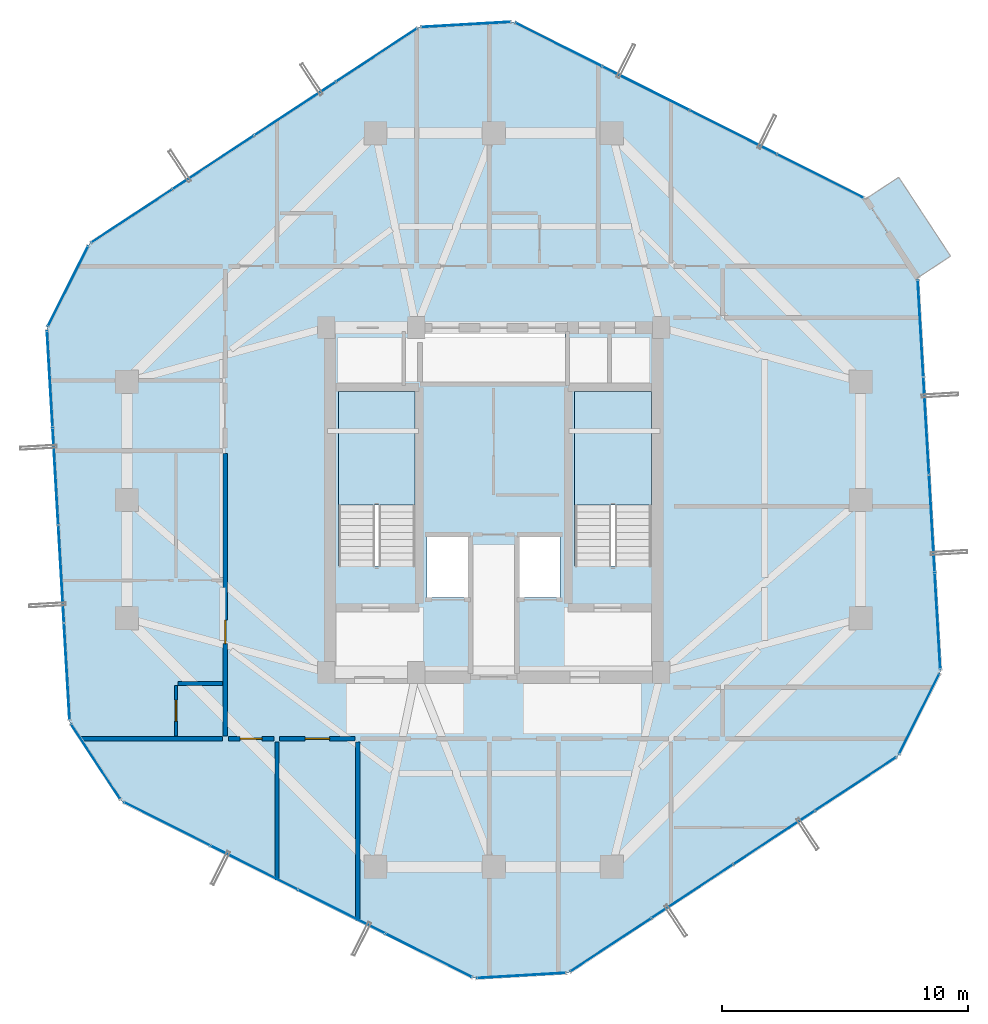
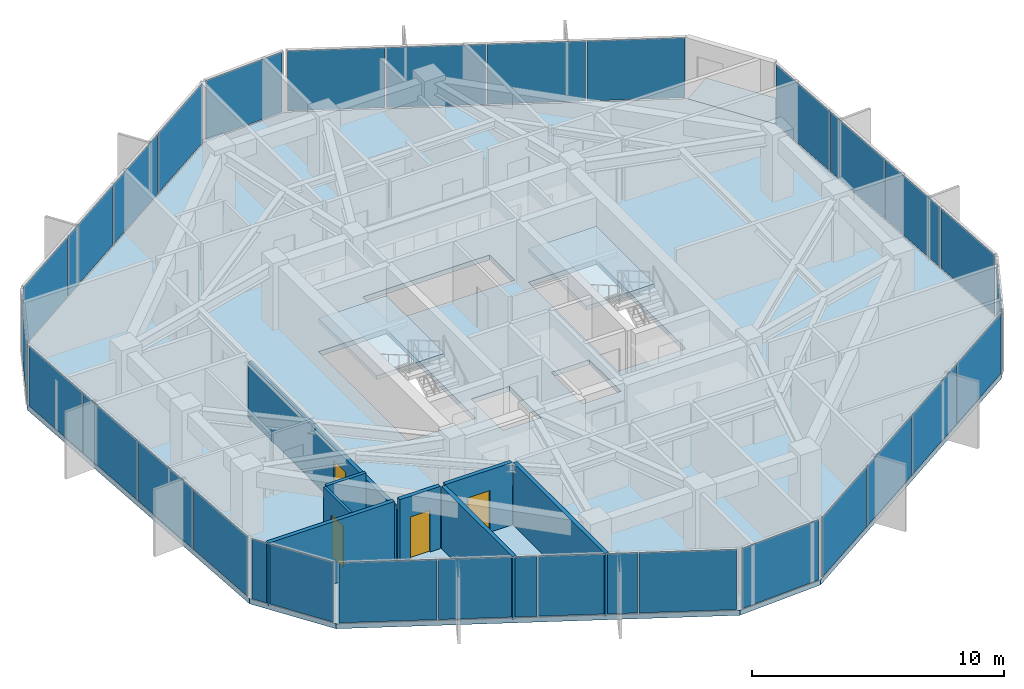
# One storey, part 28 of 33: 29 plates, 8 walls, 4 doors, 4 slabs, 4 openings, 13 elements without a shape of their own.
"""IFC4 building model written with IfcOpenShell, lengths in metres."""

from ifc_helpers import new_model, si_unit, direction, frame, frame_2d, origin, origin_2d, place, context, subcontext, project, spatial, polyline, rectangle, outline, extrude, source, transform, mapped, material, layer, layer_set, type_object, element, fill, aggregate, save


model = new_model("IFC4")

# Units and contexts
model_context = context("Model", 3, precision=1e-05, world=origin(), true_north=direction((0.0, 1.0)))
body_context = subcontext(model_context, "Body", "Model", "MODEL_VIEW")
ifc_project = project(units=[si_unit("LENGTHUNIT", "METRE"), si_unit("AREAUNIT", "SQUARE_METRE"), si_unit("VOLUMEUNIT", "CUBIC_METRE"), si_unit("PLANEANGLEUNIT", "RADIAN"), si_unit("MASSUNIT", "GRAM", prefix="KILO")], contexts=[model_context])

# Site, building, storey
site_placement = place(None, origin())
site = spatial("IfcSite", under=ifc_project, at=site_placement, CompositionType="ELEMENT")
building_placement = place(site_placement, origin())
building = spatial("IfcBuilding", under=site, at=building_placement, Name="Veraguas Prism Commons", CompositionType="ELEMENT")
storey_placement = place(building_placement, frame((0.0, 0.0, 195.10009765625)))
storey = spatial("IfcBuildingStorey", under=building, at=storey_placement, Name="L55", CompositionType="ELEMENT", Elevation=195.10009765625)

# Stair, slab
ifc_material_1 = material(Name="Precast concrete C45/55", Category="concrete")
stair_type = type_object("IfcStairType", Name="Dogleg Core Stair 1480W 20R 05", PredefinedType="HALF_TURN_STAIR", material=ifc_material_1)
stair_1_placement = place(storey_placement, origin())
stair_1 = element("IfcStair", 1, at=stair_1_placement, inside=storey, type_object=stair_type, Name="Protected Exit Stair ST-01 L55", PredefinedType="HALF_TURN_STAIR")
ifc_layer_1 = layer(ifc_material_1, 0.199951171875, Name="Precast Stair and Ramp Landing Slab 200", Category="concrete")
ifc_layer_set_1 = layer_set([ifc_layer_1], Name="Precast concrete C45/55")
slab_type_1 = type_object("IfcSlabType", Name="Precast Stair and Ramp Landing Slab 200", PredefinedType="LANDING", material=ifc_layer_set_1)
slab_1_placement = place(storey_placement, frame((0.0, 0.0, 1.4248046875)))
slab_1 = element("IfcSlab", 2, at=slab_1_placement, type_object=slab_type_1, Name="ST-05 Landing 1", PredefinedType="LANDING", context=body_context, shape_type="SweptSolid", body=[
    extrude(outline(polyline([(20.800048828125, 23.800048828125), (20.800048828125, 28.39990234375), (17.68994140625, 28.39990234375), (17.68994140625, 23.800048828125), (20.800048828125, 23.800048828125)])), origin(), (0.0, 0.0, 1.0), 0.2001953125),
])
aggregate(stair_1, [slab_1])

stair_2_placement = place(storey_placement, origin())
stair_2 = element("IfcStair", 3, at=stair_2_placement, inside=storey, type_object=stair_type, Name="Protected Exit Stair ST-02 L55", PredefinedType="HALF_TURN_STAIR")
slab_2_placement = place(storey_placement, frame((0.0, 0.0, 1.4248046875)))
slab_2 = element("IfcSlab", 4, at=slab_2_placement, type_object=slab_type_1, Name="ST-05 Landing 1", PredefinedType="LANDING", context=body_context, shape_type="SweptSolid", body=[
    extrude(outline(polyline([(30.39990234375, 23.800048828125), (30.39990234375, 28.39990234375), (27.2900390625, 28.39990234375), (27.2900390625, 23.800048828125), (30.39990234375, 23.800048828125)])), origin(), (0.0, 0.0, 1.0), 0.2001953125),
])
aggregate(stair_2, [slab_2])

# Slabs
ifc_material_2 = material(Name="Concrete C45/55", Category="concrete")
ifc_layer_2 = layer(ifc_material_2, 0.219970703125, Name="Recessed Loggia and Terrace Slab RC 220", Category="concrete")
ifc_layer_set_2 = layer_set([ifc_layer_2], Name="Concrete C45/55")
slab_type_2 = type_object("IfcSlabType", Name="Recessed Loggia and Terrace Slab RC 220", PredefinedType="FLOOR", material=ifc_layer_set_2)
slab_3_placement = place(storey_placement, frame((0.0, 0.0, -0.22021484375)))
element("IfcSlab", 5, at=slab_3_placement, inside=storey, type_object=slab_type_2, Name="Recessed Corner Loggia L55-C1", PredefinedType="FLOOR", context=body_context, shape_type="SweptSolid", body=[
    extrude(outline(polyline([(41.19970703125, 33.012451171875), (42.553466796875, 33.90234375), (40.447265625, 37.1064453125), (39.093505859375, 36.216552734375), (41.19970703125, 33.012451171875)])), origin(), (0.0, 0.0, 1.0), 0.22021484375),
])
ifc_layer_3 = layer(ifc_material_2, 0.235107421875, Name="Tower Upper Residential Floor Slab RC 235", Category="concrete")
ifc_layer_set_3 = layer_set([ifc_layer_3], Name="Concrete C45/55")
slab_type_3 = type_object("IfcSlabType", Name="Tower Upper Residential Floor Slab RC 235", PredefinedType="FLOOR", material=ifc_layer_set_3)
slab_4_placement = place(storey_placement, frame((0.0, 0.0, -0.235107421875)))
element("IfcSlab", 6, at=slab_4_placement, inside=storey, type_object=slab_type_3, Name="Tower Floor Slab L55", PredefinedType="FLOOR", context=body_context, shape_type="SweptSolid", body=[
    extrude(outline(polyline([(41.216552734375, 33.0234375), (39.1103515625, 36.2275390625), (24.793701171875, 43.421630859375), (20.9658203125, 43.19970703125), (7.5771484375, 34.398193359375), (5.855712890625, 30.97216796875), (6.783447265625, 14.9765625), (8.8896484375, 11.7724609375), (23.206298828125, 4.578369140625), (27.0341796875, 4.80029296875), (40.4228515625, 13.601806640625), (42.144287109375, 17.02783203125), (41.216552734375, 33.0234375)]), holes=[polyline([(20.800048828125, 21.31005859375), (20.800048828125, 28.39990234375), (17.68994140625, 28.39990234375), (17.68994140625, 21.31005859375), (20.800048828125, 21.31005859375)]), polyline([(30.39990234375, 21.31005859375), (30.39990234375, 28.39990234375), (27.2900390625, 28.39990234375), (27.2900390625, 21.31005859375), (30.39990234375, 21.31005859375)]), polyline([(21.10009765625, 28.800048828125), (26.89990234375, 28.800048828125), (26.89990234375, 30.800048828125), (21.10009765625, 30.800048828125), (21.10009765625, 28.800048828125)]), polyline([(21.300048828125, 20.050048828125), (23.050048828125, 20.050048828125), (23.050048828125, 22.550048828125), (21.300048828125, 22.550048828125), (21.300048828125, 20.050048828125)]), polyline([(24.949951171875, 20.050048828125), (26.699951171875, 20.050048828125), (26.699951171875, 22.550048828125), (24.949951171875, 22.550048828125), (24.949951171875, 20.050048828125)])]), origin(), (0.0, 0.0, 1.0), 0.235107421875),
])

# Curtain wall, plates
ifc_material_3 = material(Name="Anodised aluminium EN AW-6063 T6", Category="aluminium")
ifc_layer_4 = layer(ifc_material_3, 0.14990234375, Name="Unitised Flush Curtain Wall Zone 3", Category="aluminium")
ifc_layer_set_4 = layer_set([ifc_layer_4], Name="Anodised aluminium EN AW-6063 T6")
curtain_wall_type = type_object("IfcCurtainWallType", Name="Unitised Flush Curtain Wall Zone 3", PredefinedType="NOTDEFINED", material=ifc_layer_set_4)
curtain_wall_1_placement = place(storey_placement, origin())
curtain_wall_1 = element("IfcCurtainWall", 7, at=curtain_wall_1_placement, inside=storey, type_object=curtain_wall_type, Name="Tower Facade Curtain Wall L55-F2", PredefinedType="NOTDEFINED")
ifc_material_4 = material(Name="Laminated low-e glass", Category="glass")
ifc_layer_5 = layer(ifc_material_4, 0.028076171875, Name="Unitised Double Low-E Glazed Panel 28", Category="glass")
ifc_layer_set_5 = layer_set([ifc_layer_5], Name="Laminated low-e glass")
plate_type = type_object("IfcPlateType", Name="Unitised Double Low-E Glazed Panel 28", PredefinedType="CURTAIN_PANEL", material=ifc_layer_set_5)
shared_shape_1 = source(origin(), body_context, "Body", "SweptSolid", [
    extrude(rectangle(XDim=3.885498046875, YDim=0.028076171875, at=origin_2d()), origin(), (0.0, 0.0, 1.0), 2.905029296875),
])
plate_1_placement = place(storey_placement, frame((19.2421875, 42.06640625, 0.0546875), z_axis=(0.0, 0.0, 1.0), x_axis=(-0.835621417698, -0.549305785774, 0.0)))
plate_1 = element("IfcPlate", 8, at=plate_1_placement, type_object=plate_type, Name="CW-Z3 Panel 1.1", PredefinedType="CURTAIN_PANEL", context=body_context, shape_type="MappedRepresentation", body=[
    mapped(shared_shape_1, transform((0.0, 0.0, 0.0), scale=1.0)),
])
plate_2_placement = place(storey_placement, frame((9.30078125, 35.531494140625, 0.0546875), z_axis=(0.0, 0.0, 1.0), x_axis=(-0.835621417698, -0.549305785774, 0.0)))
plate_2 = element("IfcPlate", 9, at=plate_2_placement, type_object=plate_type, Name="CW-Z3 Panel 4.1", PredefinedType="CURTAIN_PANEL", context=body_context, shape_type="MappedRepresentation", body=[
    mapped(shared_shape_1, transform((0.0, 0.0, 0.0), scale=1.0)),
])

curtain_wall_2_placement = place(storey_placement, origin())
curtain_wall_2 = element("IfcCurtainWall", 10, at=curtain_wall_2_placement, inside=storey, type_object=curtain_wall_type, Name="Tower Facade Curtain Wall L55-F3", PredefinedType="NOTDEFINED")
plate_3_placement = place(storey_placement, frame((5.97509765625, 28.912841796875, 0.0546875), z_axis=(0.0, 0.0, 1.0), x_axis=(0.05790902568, -0.998321864303, 0.0)))
plate_3 = element("IfcPlate", 11, at=plate_3_placement, type_object=plate_type, Name="CW-Z3 Panel 1.1", PredefinedType="CURTAIN_PANEL", context=body_context, shape_type="MappedRepresentation", body=[
    mapped(shared_shape_1, transform((0.0, 0.0, 0.0), scale=1.0)),
])
plate_4_placement = place(storey_placement, frame((6.6640625, 17.035888671875, 0.0546875), z_axis=(0.0, 0.0, 1.0), x_axis=(0.05790902568, -0.998321864303, 0.0)))
plate_4 = element("IfcPlate", 12, at=plate_4_placement, type_object=plate_type, Name="CW-Z3 Panel 4.1", PredefinedType="CURTAIN_PANEL", context=body_context, shape_type="MappedRepresentation", body=[
    mapped(shared_shape_1, transform((0.0, 0.0, 0.0), scale=1.0)),
])

curtain_wall_3_placement = place(storey_placement, origin())
curtain_wall_3 = element("IfcCurtainWall", 13, at=curtain_wall_3_placement, inside=storey, type_object=curtain_wall_type, Name="Tower Facade Curtain Wall L55-F5", PredefinedType="NOTDEFINED")
plate_5_placement = place(storey_placement, frame((28.7578125, 5.93359375, 0.0546875), z_axis=(0.0, 0.0, 1.0), x_axis=(0.835621417698, 0.549305785774, 0.0)))
plate_5 = element("IfcPlate", 14, at=plate_5_placement, type_object=plate_type, Name="CW-Z3 Panel 1.1", PredefinedType="CURTAIN_PANEL", context=body_context, shape_type="MappedRepresentation", body=[
    mapped(shared_shape_1, transform((0.0, 0.0, 0.0), scale=1.0)),
])
plate_6_placement = place(storey_placement, frame((38.69921875, 12.468505859375, 0.0546875), z_axis=(0.0, 0.0, 1.0), x_axis=(0.835621417698, 0.549305785774, 0.0)))
plate_6 = element("IfcPlate", 15, at=plate_6_placement, type_object=plate_type, Name="CW-Z3 Panel 4.1", PredefinedType="CURTAIN_PANEL", context=body_context, shape_type="MappedRepresentation", body=[
    mapped(shared_shape_1, transform((0.0, 0.0, 0.0), scale=1.0)),
])

curtain_wall_4_placement = place(storey_placement, origin())
curtain_wall_4 = element("IfcCurtainWall", 16, at=curtain_wall_4_placement, inside=storey, type_object=curtain_wall_type, Name="Tower Facade Curtain Wall L55-F6", PredefinedType="NOTDEFINED")
plate_7_placement = place(storey_placement, frame((42.02490234375, 19.087158203125, 0.0546875), z_axis=(0.0, 0.0, 1.0), x_axis=(-0.05790902568, 0.998321864303, 0.0)))
plate_7 = element("IfcPlate", 17, at=plate_7_placement, type_object=plate_type, Name="CW-Z3 Panel 1.1", PredefinedType="CURTAIN_PANEL", context=body_context, shape_type="MappedRepresentation", body=[
    mapped(shared_shape_1, transform((0.0, 0.0, 0.0), scale=1.0)),
])
plate_8_placement = place(storey_placement, frame((41.3359375, 30.964111328125, 0.0546875), z_axis=(0.0, 0.0, 1.0), x_axis=(-0.05790902568, 0.998321864303, 0.0)))
plate_8 = element("IfcPlate", 18, at=plate_8_placement, type_object=plate_type, Name="CW-Z3 Panel 4.1", PredefinedType="CURTAIN_PANEL", context=body_context, shape_type="MappedRepresentation", body=[
    mapped(shared_shape_1, transform((0.0, 0.0, 0.0), scale=1.0)),
])

curtain_wall_5_placement = place(storey_placement, origin())
curtain_wall_5 = element("IfcCurtainWall", 19, at=curtain_wall_5_placement, inside=storey, type_object=curtain_wall_type, Name="Tower Facade Curtain Wall L55-F1", PredefinedType="NOTDEFINED")
shared_shape_2 = source(origin(), body_context, "Body", "SweptSolid", [
    extrude(rectangle(XDim=3.91552734375, YDim=0.028076171875, at=origin_2d()), origin(), (0.0, 0.0, 1.0), 2.905029296875),
])
plate_9_placement = place(storey_placement, frame((33.728271484375, 38.93212890625, 0.0546875), z_axis=(0.0, 0.0, 1.0), x_axis=(-0.893525824808, 0.449011804301, 0.0)))
plate_9 = element("IfcPlate", 20, at=plate_9_placement, type_object=plate_type, Name="CW-Z3 Panel 2.1", PredefinedType="CURTAIN_PANEL", context=body_context, shape_type="MappedRepresentation", body=[
    mapped(shared_shape_2, transform((0.0, 0.0, 0.0), scale=1.0)),
])
plate_10_placement = place(storey_placement, frame((30.17578125, 40.717041015625, 0.0546875), z_axis=(0.0, 0.0, 1.0), x_axis=(-0.893525824808, 0.449011804301, 0.0)))
plate_10 = element("IfcPlate", 21, at=plate_10_placement, type_object=plate_type, Name="CW-Z3 Panel 3.1", PredefinedType="CURTAIN_PANEL", context=body_context, shape_type="MappedRepresentation", body=[
    mapped(shared_shape_2, transform((0.0, 0.0, 0.0), scale=1.0)),
])

# Plate
plate_11_placement = place(storey_placement, frame((15.9326171875, 39.890869140625, 0.0546875), z_axis=(0.0, 0.0, 1.0), x_axis=(-0.835621417698, -0.549305785774, 0.0)))
plate_11 = element("IfcPlate", 22, at=plate_11_placement, type_object=plate_type, Name="CW-Z3 Panel 2.1", PredefinedType="CURTAIN_PANEL", context=body_context, shape_type="MappedRepresentation", body=[
    mapped(shared_shape_2, transform((0.0, 0.0, 0.0), scale=1.0)),
])

plate_12_placement = place(storey_placement, frame((12.6103515625, 37.70703125, 0.0546875), z_axis=(0.0, 0.0, 1.0), x_axis=(-0.835621417698, -0.549305785774, 0.0)))
plate_12 = element("IfcPlate", 23, at=plate_12_placement, type_object=plate_type, Name="CW-Z3 Panel 3.1", PredefinedType="CURTAIN_PANEL", context=body_context, shape_type="MappedRepresentation", body=[
    mapped(shared_shape_2, transform((0.0, 0.0, 0.0), scale=1.0)),
])

aggregate(curtain_wall_1, [plate_1, plate_11, plate_12, plate_2])

plate_13_placement = place(storey_placement, frame((6.204345703125, 24.958740234375, 0.0546875), z_axis=(0.0, 0.0, 1.0), x_axis=(0.05790902568, -0.998321864303, 0.0)))
plate_13 = element("IfcPlate", 24, at=plate_13_placement, type_object=plate_type, Name="CW-Z3 Panel 2.1", PredefinedType="CURTAIN_PANEL", context=body_context, shape_type="MappedRepresentation", body=[
    mapped(shared_shape_2, transform((0.0, 0.0, 0.0), scale=1.0)),
])

plate_14_placement = place(storey_placement, frame((6.4345703125, 20.989990234375, 0.0546875), z_axis=(0.0, 0.0, 1.0), x_axis=(0.05790902568, -0.998321864303, 0.0)))
plate_14 = element("IfcPlate", 25, at=plate_14_placement, type_object=plate_type, Name="CW-Z3 Panel 3.1", PredefinedType="CURTAIN_PANEL", context=body_context, shape_type="MappedRepresentation", body=[
    mapped(shared_shape_2, transform((0.0, 0.0, 0.0), scale=1.0)),
])

aggregate(curtain_wall_2, [plate_3, plate_13, plate_14, plate_4])

# Curtain wall, plates
curtain_wall_6_placement = place(storey_placement, origin())
curtain_wall_6 = element("IfcCurtainWall", 26, at=curtain_wall_6_placement, inside=storey, type_object=curtain_wall_type, Name="Tower Facade Curtain Wall L55-F4", PredefinedType="NOTDEFINED")
plate_15_placement = place(storey_placement, frame((14.271728515625, 9.06787109375, 0.0546875), z_axis=(0.0, 0.0, 1.0), x_axis=(0.893525824808, -0.449011804301, 0.0)))
plate_15 = element("IfcPlate", 27, at=plate_15_placement, type_object=plate_type, Name="CW-Z3 Panel 2.1", PredefinedType="CURTAIN_PANEL", context=body_context, shape_type="MappedRepresentation", body=[
    mapped(shared_shape_2, transform((0.0, 0.0, 0.0), scale=1.0)),
])
plate_16_placement = place(storey_placement, frame((17.82421875, 7.282958984375, 0.0546875), z_axis=(0.0, 0.0, 1.0), x_axis=(0.893525824808, -0.449011804301, 0.0)))
plate_16 = element("IfcPlate", 28, at=plate_16_placement, type_object=plate_type, Name="CW-Z3 Panel 3.1", PredefinedType="CURTAIN_PANEL", context=body_context, shape_type="MappedRepresentation", body=[
    mapped(shared_shape_2, transform((0.0, 0.0, 0.0), scale=1.0)),
])

# Plate
plate_17_placement = place(storey_placement, frame((32.0673828125, 8.109130859375, 0.0546875), z_axis=(0.0, 0.0, 1.0), x_axis=(0.835621417698, 0.549305785774, 0.0)))
plate_17 = element("IfcPlate", 29, at=plate_17_placement, type_object=plate_type, Name="CW-Z3 Panel 2.1", PredefinedType="CURTAIN_PANEL", context=body_context, shape_type="MappedRepresentation", body=[
    mapped(shared_shape_2, transform((0.0, 0.0, 0.0), scale=1.0)),
])

plate_18_placement = place(storey_placement, frame((35.3896484375, 10.29296875, 0.0546875), z_axis=(0.0, 0.0, 1.0), x_axis=(0.835621417698, 0.549305785774, 0.0)))
plate_18 = element("IfcPlate", 30, at=plate_18_placement, type_object=plate_type, Name="CW-Z3 Panel 3.1", PredefinedType="CURTAIN_PANEL", context=body_context, shape_type="MappedRepresentation", body=[
    mapped(shared_shape_2, transform((0.0, 0.0, 0.0), scale=1.0)),
])

aggregate(curtain_wall_3, [plate_5, plate_17, plate_18, plate_6])

plate_19_placement = place(storey_placement, frame((41.795654296875, 23.041259765625, 0.0546875), z_axis=(0.0, 0.0, 1.0), x_axis=(-0.05790902568, 0.998321864303, 0.0)))
plate_19 = element("IfcPlate", 31, at=plate_19_placement, type_object=plate_type, Name="CW-Z3 Panel 2.1", PredefinedType="CURTAIN_PANEL", context=body_context, shape_type="MappedRepresentation", body=[
    mapped(shared_shape_2, transform((0.0, 0.0, 0.0), scale=1.0)),
])

plate_20_placement = place(storey_placement, frame((41.5654296875, 27.010009765625, 0.0546875), z_axis=(0.0, 0.0, 1.0), x_axis=(-0.05790902568, 0.998321864303, 0.0)))
plate_20 = element("IfcPlate", 32, at=plate_20_placement, type_object=plate_type, Name="CW-Z3 Panel 3.1", PredefinedType="CURTAIN_PANEL", context=body_context, shape_type="MappedRepresentation", body=[
    mapped(shared_shape_2, transform((0.0, 0.0, 0.0), scale=1.0)),
])

aggregate(curtain_wall_4, [plate_7, plate_19, plate_20, plate_8])

shared_shape_3 = source(origin(), body_context, "Body", "SweptSolid", [
    extrude(rectangle(XDim=3.8857421875, YDim=0.028076171875, at=origin_2d()), origin(), (0.0, 0.0, 1.0), 2.905029296875),
])
plate_21_placement = place(storey_placement, frame((37.26708984375, 37.153564453125, 0.0546875), z_axis=(0.0, 0.0, 1.0), x_axis=(-0.893525824808, 0.449011804301, 0.0)))
plate_21 = element("IfcPlate", 33, at=plate_21_placement, type_object=plate_type, Name="CW-Z3 Panel 1.1", PredefinedType="CURTAIN_PANEL", context=body_context, shape_type="MappedRepresentation", body=[
    mapped(shared_shape_3, transform((0.0, 0.0, 0.0), scale=1.0)),
])

plate_22_placement = place(storey_placement, frame((26.636962890625, 42.49560546875, 0.0546875), z_axis=(0.0, 0.0, 1.0), x_axis=(-0.893525824808, 0.449011804301, 0.0)))
plate_22 = element("IfcPlate", 34, at=plate_22_placement, type_object=plate_type, Name="CW-Z3 Panel 4.1", PredefinedType="CURTAIN_PANEL", context=body_context, shape_type="MappedRepresentation", body=[
    mapped(shared_shape_3, transform((0.0, 0.0, 0.0), scale=1.0)),
])

aggregate(curtain_wall_5, [plate_21, plate_9, plate_10, plate_22])

plate_23_placement = place(storey_placement, frame((10.73291015625, 10.846435546875, 0.0546875), z_axis=(0.0, 0.0, 1.0), x_axis=(0.893525824808, -0.449011804301, 0.0)))
plate_23 = element("IfcPlate", 35, at=plate_23_placement, type_object=plate_type, Name="CW-Z3 Panel 1.1", PredefinedType="CURTAIN_PANEL", context=body_context, shape_type="MappedRepresentation", body=[
    mapped(shared_shape_3, transform((0.0, 0.0, 0.0), scale=1.0)),
])

plate_24_placement = place(storey_placement, frame((21.363037109375, 5.50439453125, 0.0546875), z_axis=(0.0, 0.0, 1.0), x_axis=(0.893525824808, -0.449011804301, 0.0)))
plate_24 = element("IfcPlate", 36, at=plate_24_placement, type_object=plate_type, Name="CW-Z3 Panel 4.1", PredefinedType="CURTAIN_PANEL", context=body_context, shape_type="MappedRepresentation", body=[
    mapped(shared_shape_3, transform((0.0, 0.0, 0.0), scale=1.0)),
])

aggregate(curtain_wall_6, [plate_23, plate_15, plate_16, plate_24])

# Curtain wall, plate
curtain_wall_7_placement = place(storey_placement, origin())
curtain_wall_7 = element("IfcCurtainWall", 37, at=curtain_wall_7_placement, inside=storey, type_object=curtain_wall_type, Name="Chamfer Curtain Wall L55-C2", PredefinedType="NOTDEFINED")
shared_shape_4 = source(origin(), body_context, "Body", "SweptSolid", [
    extrude(rectangle(XDim=3.594482421875, YDim=0.028076171875, at=origin_2d()), origin(), (0.0, 0.0, 1.0), 2.905029296875),
])
plate_25_placement = place(storey_placement, frame((22.8798828125, 43.310546875, 0.0546875), z_axis=(0.0, 0.0, 1.0), x_axis=(-0.998321864303, -0.05790902568, 0.0)))
plate_25 = element("IfcPlate", 38, at=plate_25_placement, type_object=plate_type, Name="CW-Z3 Panel 1.1", PredefinedType="CURTAIN_PANEL", context=body_context, shape_type="MappedRepresentation", body=[
    mapped(shared_shape_4, transform((0.0, 0.0, 0.0), scale=1.0)),
])
aggregate(curtain_wall_7, [plate_25])

curtain_wall_8_placement = place(storey_placement, origin())
curtain_wall_8 = element("IfcCurtainWall", 39, at=curtain_wall_8_placement, inside=storey, type_object=curtain_wall_type, Name="Chamfer Curtain Wall L55-C3", PredefinedType="NOTDEFINED")
plate_26_placement = place(storey_placement, frame((6.71630859375, 32.685302734375, 0.0546875), z_axis=(0.0, 0.0, 1.0), x_axis=(-0.44900088779, -0.893531310455, 0.0)))
plate_26 = element("IfcPlate", 40, at=plate_26_placement, type_object=plate_type, Name="CW-Z3 Panel 1.1", PredefinedType="CURTAIN_PANEL", context=body_context, shape_type="MappedRepresentation", body=[
    mapped(shared_shape_4, transform((0.0, 0.0, 0.0), scale=1.0)),
])
aggregate(curtain_wall_8, [plate_26])

curtain_wall_9_placement = place(storey_placement, origin())
curtain_wall_9 = element("IfcCurtainWall", 41, at=curtain_wall_9_placement, inside=storey, type_object=curtain_wall_type, Name="Chamfer Curtain Wall L55-C4", PredefinedType="NOTDEFINED")
plate_27_placement = place(storey_placement, frame((7.836669921875, 13.37451171875, 0.0546875), z_axis=(0.0, 0.0, 1.0), x_axis=(0.549270782864, -0.835644426231, 0.0)))
plate_27 = element("IfcPlate", 42, at=plate_27_placement, type_object=plate_type, Name="CW-Z3 Panel 1.1", PredefinedType="CURTAIN_PANEL", context=body_context, shape_type="MappedRepresentation", body=[
    mapped(shared_shape_4, transform((0.0, 0.0, 0.0), scale=1.0)),
])
aggregate(curtain_wall_9, [plate_27])

curtain_wall_10_placement = place(storey_placement, origin())
curtain_wall_10 = element("IfcCurtainWall", 43, at=curtain_wall_10_placement, inside=storey, type_object=curtain_wall_type, Name="Chamfer Curtain Wall L55-C5", PredefinedType="NOTDEFINED")
plate_28_placement = place(storey_placement, frame((25.1201171875, 4.689453125, 0.0546875), z_axis=(0.0, 0.0, 1.0), x_axis=(0.998321864303, 0.05790902568, 0.0)))
plate_28 = element("IfcPlate", 44, at=plate_28_placement, type_object=plate_type, Name="CW-Z3 Panel 1.1", PredefinedType="CURTAIN_PANEL", context=body_context, shape_type="MappedRepresentation", body=[
    mapped(shared_shape_4, transform((0.0, 0.0, 0.0), scale=1.0)),
])
aggregate(curtain_wall_10, [plate_28])

curtain_wall_11_placement = place(storey_placement, origin())
curtain_wall_11 = element("IfcCurtainWall", 45, at=curtain_wall_11_placement, inside=storey, type_object=curtain_wall_type, Name="Chamfer Curtain Wall L55-C6", PredefinedType="NOTDEFINED")
plate_29_placement = place(storey_placement, frame((41.28369140625, 15.314697265625, 0.0546875), z_axis=(0.0, 0.0, 1.0), x_axis=(0.44900088779, 0.893531310455, 0.0)))
plate_29 = element("IfcPlate", 46, at=plate_29_placement, type_object=plate_type, Name="CW-Z3 Panel 1.1", PredefinedType="CURTAIN_PANEL", context=body_context, shape_type="MappedRepresentation", body=[
    mapped(shared_shape_4, transform((0.0, 0.0, 0.0), scale=1.0)),
])
aggregate(curtain_wall_11, [plate_29])

# Wall
ifc_material_5 = material(Name="Autoclaved aerated masonry block 10 MPa", Category="masonry")
ifc_layer_6 = layer(ifc_material_5, 0.179931640625, Name="Corridor and Inter-Tenancy Partition 180", Category="masonry")
ifc_layer_set_6 = layer_set([ifc_layer_6], Name="Autoclaved aerated masonry block 10 MPa")
wall_type_1 = type_object("IfcWallType", Name="Corridor and Inter-Tenancy Partition 180", PredefinedType="PARTITIONING", material=ifc_layer_set_6)
wall_1_placement = place(storey_placement, frame((15.199951171875, 14.179931640625, 0.0), z_axis=(0.0, 0.0, 1.0), x_axis=(0.0, -1.0, 0.0)))
element("IfcWall", 47, at=wall_1_placement, inside=storey, type_object=wall_type_1, Name="WL-L55-PT001", PredefinedType="PARTITIONING", context=body_context, shape_type="SweptSolid", body=[
    extrude(rectangle(XDim=5.612060546875, YDim=0.179931640625, at=frame_2d((2.80615234375, 0.0))), origin(), (0.0, 0.0, 1.0), 3.014892578125),
])

# Wall, opening, door
wall_2_placement = place(storey_placement, frame((15.31005859375, 14.300048828125, 0.0), z_axis=(0.0, 0.0, 1.0), x_axis=(1.0, 0.0, 0.0)))
wall_2 = element("IfcWall", 48, at=wall_2_placement, inside=storey, type_object=wall_type_1, Name="WL-L55-PT003", PredefinedType="PARTITIONING", context=body_context, shape_type="SweptSolid", body=[
    extrude(rectangle(XDim=3.055908203125, YDim=0.179931640625, at=frame_2d((1.52783203125, 0.0))), origin(), (0.0, 0.0, 1.0), 3.014892578125),
])
opening_1_placement = place(wall_2_placement, frame((1.028076171875, 0.0, 0.0)))
opening_1 = element("IfcOpeningElement", 49, at=opening_1_placement, cuts=wall_2, Name="Opening DR-13", PredefinedType="OPENING", context=body_context, shape_type="SweptSolid", body=[
    extrude(rectangle(XDim=1.0, YDim=2.010009765625, at=frame_2d((0.5, 1.0048828125))), frame((0.0, 0.099853515625, 0.0), z_axis=(0.0, -1.0, 0.0), x_axis=(1.0, 0.0, 0.0)), (0.0, 0.0, 1.0), 0.199951171875),
])
ifc_material_6 = material(Name="Steel fire-rated door assembly", Category="steel")
door_type_1 = type_object("IfcDoorType", Name="Core Accessible WC and Clinic Fire Door 1000x2010", OperationType="NOTDEFINED", PredefinedType="DOOR", material=ifc_material_6)
shared_shape_5 = source(origin(), body_context, "Body", "SweptSolid", [
    extrude(rectangle(XDim=1.0, YDim=2.010009765625, at=frame_2d((0.5, 1.0048828125))), frame((0.0, 0.02490234375, 0.0), z_axis=(0.0, -1.0, 0.0), x_axis=(1.0, 0.0, 0.0)), (0.0, 0.0, 1.0), 0.050048828125),
])
door_1_placement = place(opening_1_placement, origin())
door_1 = element("IfcDoor", 50, at=door_1_placement, inside=storey, type_object=door_type_1, Name="Community Co-op Kitchen Door", OperationType="SINGLE_SWING_LEFT", OverallHeight=2.010009765625, OverallWidth=1.0, PredefinedType="DOOR", context=body_context, shape_type="MappedRepresentation", body=[
    mapped(shared_shape_5, transform((0.0, 0.0, 0.0), scale=1.0)),
])
fill(opening_1, door_1)

# Walls
wall_3_placement = place(storey_placement, frame((18.47607421875, 14.179931640625, 0.0), z_axis=(0.0, 0.0, 1.0), x_axis=(0.0, -1.0, 0.0)))
element("IfcWall", 51, at=wall_3_placement, inside=storey, type_object=wall_type_1, Name="WL-L55-PT005", PredefinedType="PARTITIONING", context=body_context, shape_type="SweptSolid", body=[
    extrude(rectangle(XDim=7.25830078125, YDim=0.179931640625, at=frame_2d((3.629150390625, 0.0))), origin(), (0.0, 0.0, 1.0), 3.014892578125),
])
wall_4_placement = place(storey_placement, frame((12.97998046875, 14.300048828125, 0.0), z_axis=(0.0, 0.0, 1.0), x_axis=(-1.0, 0.0, 0.0)))
element("IfcWall", 52, at=wall_4_placement, inside=storey, type_object=wall_type_1, Name="WL-L55-PT023", PredefinedType="PARTITIONING", context=body_context, shape_type="SweptSolid", body=[
    extrude(rectangle(XDim=5.78759765625, YDim=0.179931640625, at=frame_2d((2.893798828125, 0.0))), origin(), (0.0, 0.0, 1.0), 3.014892578125),
])

# Wall, opening, door
wall_5_placement = place(storey_placement, frame((13.10009765625, 14.409912109375, 0.0), z_axis=(0.0, 0.0, 1.0), x_axis=(0.0, 1.0, 0.0)))
wall_5 = element("IfcWall", 53, at=wall_5_placement, inside=storey, type_object=wall_type_1, Name="WL-L55-PT025", PredefinedType="PARTITIONING", context=body_context, shape_type="SweptSolid", body=[
    extrude(rectangle(XDim=11.484130859375, YDim=0.179931640625, at=frame_2d((5.7421875, 0.0))), origin(), (0.0, 0.0, 1.0), 2.661865234375),
])
opening_2_placement = place(wall_5_placement, frame((3.758544921875, 0.0, 0.0)))
opening_2 = element("IfcOpeningElement", 54, at=opening_2_placement, cuts=wall_5, Name="Opening DR-01", PredefinedType="OPENING", context=body_context, shape_type="SweptSolid", body=[
    extrude(rectangle(XDim=0.949951171875, YDim=2.02001953125, at=frame_2d((0.47509765625, 1.010009765625))), frame((0.0, 0.099853515625, 0.0), z_axis=(0.0, -1.0, 0.0), x_axis=(1.0, 0.0, 0.0)), (0.0, 0.0, 1.0), 0.199951171875),
])
door_type_2 = type_object("IfcDoorType", Name="Apartment Entrance Fire Door 950x2020", OperationType="NOTDEFINED", PredefinedType="DOOR", material=ifc_material_3)
shared_shape_6 = source(origin(), body_context, "Body", "SweptSolid", [
    extrude(rectangle(XDim=0.949951171875, YDim=2.02001953125, at=frame_2d((0.47509765625, 1.010009765625))), frame((0.0, 0.02490234375, 0.0), z_axis=(0.0, -1.0, 0.0), x_axis=(1.0, 0.0, 0.0)), (0.0, 0.0, 1.0), 0.050048828125),
])
door_2_placement = place(opening_2_placement, origin())
door_2 = element("IfcDoor", 55, at=door_2_placement, inside=storey, type_object=door_type_2, Name="Flat 55C Entrance Door", OperationType="SINGLE_SWING_LEFT", OverallHeight=2.02001953125, OverallWidth=0.949951171875, PredefinedType="DOOR", context=body_context, shape_type="MappedRepresentation", body=[
    mapped(shared_shape_6, transform((0.0, 0.0, 0.0), scale=1.0)),
])
fill(opening_2, door_2)

wall_6_placement = place(storey_placement, frame((13.219970703125, 14.300048828125, 0.0), z_axis=(0.0, 0.0, 1.0), x_axis=(1.0, 0.0, 0.0)))
wall_6 = element("IfcWall", 56, at=wall_6_placement, inside=storey, type_object=wall_type_1, Name="WL-L55-PT042", PredefinedType="PARTITIONING", context=body_context, shape_type="SweptSolid", body=[
    extrude(rectangle(XDim=1.860107421875, YDim=0.179931640625, at=frame_2d((0.93017578125, 0.0))), origin(), (0.0, 0.0, 1.0), 3.014892578125),
])
opening_3_placement = place(wall_6_placement, frame((0.47998046875, 0.0, 0.0)))
opening_3 = element("IfcOpeningElement", 57, at=opening_3_placement, cuts=wall_6, Name="Opening DR-14", PredefinedType="OPENING", context=body_context, shape_type="SweptSolid", body=[
    extrude(rectangle(XDim=0.89990234375, YDim=2.010009765625, at=frame_2d((0.449951171875, 1.0048828125))), frame((0.0, 0.099853515625, 0.0), z_axis=(0.0, -1.0, 0.0), x_axis=(1.0, 0.0, 0.0)), (0.0, 0.0, 1.0), 0.199951171875),
])
door_type_3 = type_object("IfcDoorType", Name="Core Service Room Fire Door 900x2010", OperationType="NOTDEFINED", PredefinedType="DOOR", material=ifc_material_6)
shared_shape_7 = source(origin(), body_context, "Body", "SweptSolid", [
    extrude(rectangle(XDim=0.89990234375, YDim=2.010009765625, at=frame_2d((0.449951171875, 1.0048828125))), frame((0.0, 0.02490234375, 0.0), z_axis=(0.0, -1.0, 0.0), x_axis=(1.0, 0.0, 0.0)), (0.0, 0.0, 1.0), 0.050048828125),
])
door_3_placement = place(opening_3_placement, origin())
door_3 = element("IfcDoor", 58, at=door_3_placement, inside=storey, type_object=door_type_3, Name="Corner Study SW Door", OperationType="SINGLE_SWING_LEFT", OverallHeight=2.010009765625, OverallWidth=0.89990234375, PredefinedType="DOOR", context=body_context, shape_type="MappedRepresentation", body=[
    mapped(shared_shape_7, transform((0.0, 0.0, 0.0), scale=1.0)),
])
fill(opening_3, door_3)

ifc_material_7 = material(Name="Lightweight acoustic gypsum board")
ifc_layer_7 = layer(ifc_material_7, 0.125, Name="Internal Apartment Room Partition 125")
ifc_layer_set_7 = layer_set([ifc_layer_7], Name="Lightweight acoustic gypsum board")
wall_type_2 = type_object("IfcWallType", Name="Internal Apartment Room Partition 125", PredefinedType="PARTITIONING", material=ifc_layer_set_7)
wall_7_placement = place(storey_placement, frame((11.10009765625, 14.419921875, 0.0), z_axis=(0.0, 0.0, 1.0), x_axis=(0.0, 1.0, 0.0)))
wall_7 = element("IfcWall", 59, at=wall_7_placement, inside=storey, type_object=wall_type_2, Name="WL-L55-PT027", PredefinedType="PARTITIONING", context=body_context, shape_type="SweptSolid", body=[
    extrude(rectangle(XDim=2.050048828125, YDim=0.125, at=frame_2d((1.02490234375, 0.0))), origin(), (0.0, 0.0, 1.0), 3.014892578125),
])
opening_4_placement = place(wall_7_placement, frame((0.594970703125, 0.0, 0.0)))
opening_4 = element("IfcOpeningElement", 60, at=opening_4_placement, cuts=wall_7, Name="Opening DR-03", PredefinedType="OPENING", context=body_context, shape_type="SweptSolid", body=[
    extrude(rectangle(XDim=0.860107421875, YDim=2.010009765625, at=frame_2d((0.43017578125, 1.0048828125))), frame((0.0, 0.072509765625, 0.0), z_axis=(0.0, -1.0, 0.0), x_axis=(1.0, 0.0, 0.0)), (0.0, 0.0, 1.0), 0.14501953125),
])
ifc_material_8 = material(Name="Timber moisture-resistant leaf", Category="wood")
door_type_4 = type_object("IfcDoorType", Name="Internal Bathroom Door 860x2010", OperationType="NOTDEFINED", PredefinedType="DOOR", material=ifc_material_8)
shared_shape_8 = source(origin(), body_context, "Body", "SweptSolid", [
    extrude(rectangle(XDim=0.860107421875, YDim=2.010009765625, at=frame_2d((0.43017578125, 1.0048828125))), frame((0.0, 0.02490234375, 0.0), z_axis=(0.0, -1.0, 0.0), x_axis=(1.0, 0.0, 0.0)), (0.0, 0.0, 1.0), 0.050048828125),
])
door_4_placement = place(opening_4_placement, origin())
door_4 = element("IfcDoor", 61, at=door_4_placement, inside=storey, type_object=door_type_4, Name="Flat 55C Bathroom Door", OperationType="SINGLE_SWING_RIGHT", OverallHeight=2.010009765625, OverallWidth=0.860107421875, PredefinedType="DOOR", context=body_context, shape_type="MappedRepresentation", body=[
    mapped(shared_shape_8, transform((0.0, 0.0, 0.0), scale=1.0)),
])
fill(opening_4, door_4)

# Wall
ifc_layer_8 = layer(ifc_material_7, 0.14990234375, Name="Wet Room and Clinic Acoustic Partition 150")
ifc_layer_set_8 = layer_set([ifc_layer_8], Name="Lightweight acoustic gypsum board")
wall_type_3 = type_object("IfcWallType", Name="Wet Room and Clinic Acoustic Partition 150", PredefinedType="PARTITIONING", material=ifc_layer_set_8)
wall_8_placement = place(storey_placement, frame((12.97998046875, 16.550048828125, 0.0), z_axis=(0.0, 0.0, 1.0), x_axis=(-1.0, 0.0, 0.0)))
element("IfcWall", 62, at=wall_8_placement, inside=storey, type_object=wall_type_3, Name="WL-L55-PT026", PredefinedType="PARTITIONING", context=body_context, shape_type="SweptSolid", body=[
    extrude(rectangle(XDim=1.800048828125, YDim=0.14990234375, at=frame_2d((0.89990234375, 0.0))), origin(), (0.0, 0.0, 1.0), 3.014892578125),
])

save(model, "model.ifc")
